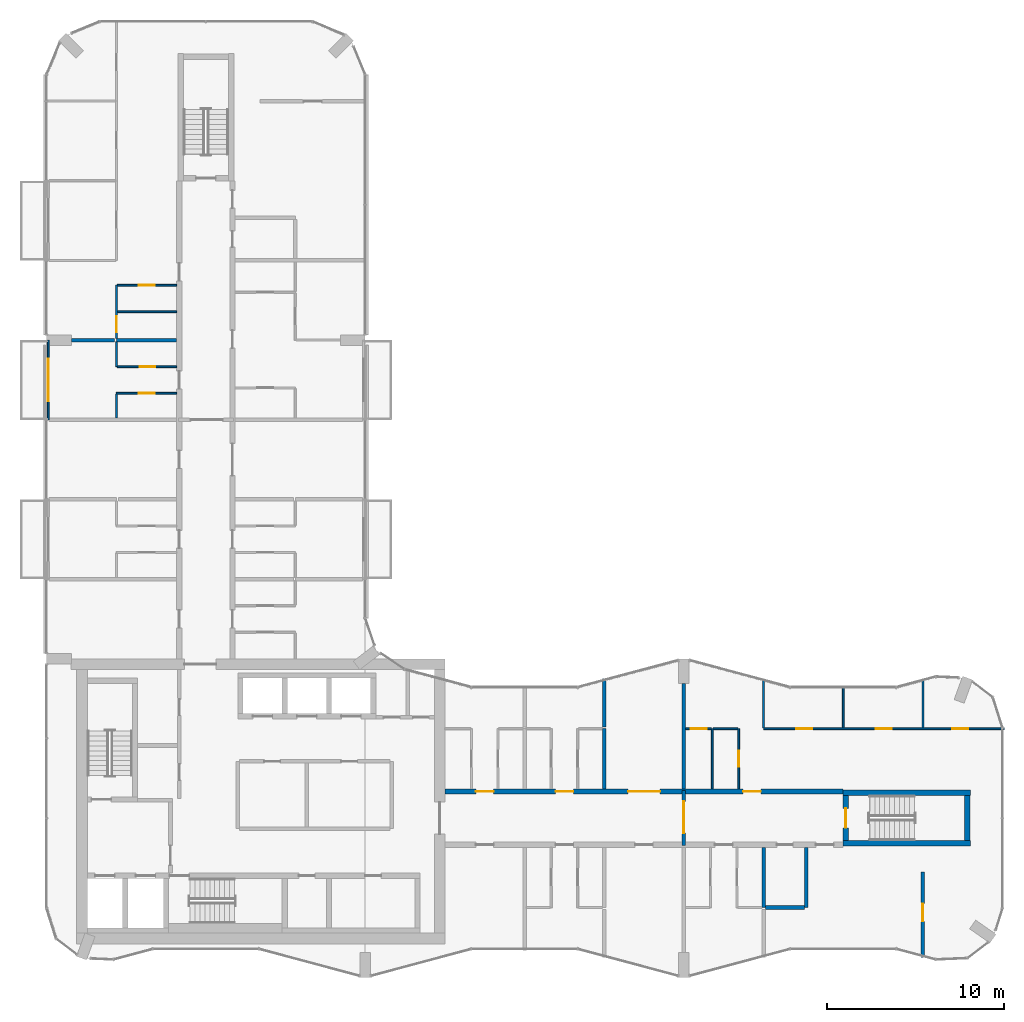
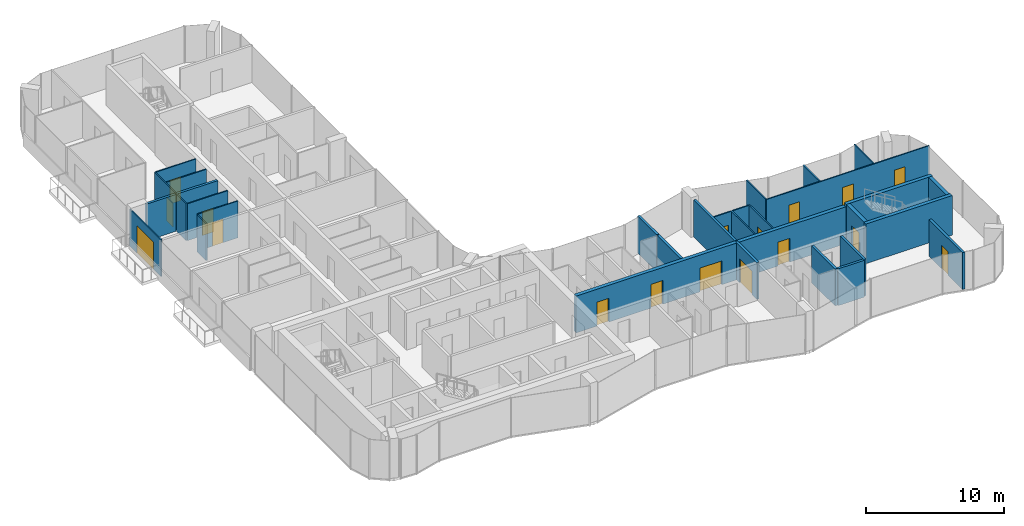
# One storey, part 12 of 16: 31 walls, 17 doors, 17 openings.
"""IFC4 building model written with IfcOpenShell, lengths in metres."""

from ifc_helpers import new_model, si_unit, direction, frame, frame_2d, origin, place, context, subcontext, project, spatial, rectangle, extrude, material, layer, layer_set, type_object, element, fill, save


model = new_model("IFC4")

# Units and contexts
model_context = context("Model", 3, precision=1e-05, world=origin(), true_north=direction((0.0, 1.0)))
body_context = subcontext(model_context, "Body", "Model", "MODEL_VIEW")
ifc_project = project(units=[si_unit("LENGTHUNIT", "METRE"), si_unit("AREAUNIT", "SQUARE_METRE"), si_unit("VOLUMEUNIT", "CUBIC_METRE"), si_unit("PLANEANGLEUNIT", "RADIAN"), si_unit("MASSUNIT", "GRAM", prefix="KILO")], contexts=[model_context])

# Site, building, storey
site_placement = place(None, origin())
site = spatial("IfcSite", under=ifc_project, at=site_placement, CompositionType="ELEMENT")
building_placement = place(site_placement, origin())
building = spatial("IfcBuilding", under=site, at=building_placement, Name="Plateau Cross Towers", CompositionType="ELEMENT")
storey_placement = place(building_placement, frame((0.0, 0.0, 163.89990234375)))
storey = spatial("IfcBuildingStorey", under=building, at=storey_placement, Name="L42", CompositionType="ELEMENT", Elevation=163.89990234375)

# Wall, opening, door
ifc_material_1 = material(Name="Aluminium framed glazing", Category="aluminium")
ifc_layer_1 = layer(ifc_material_1, 0.10009765625)
ifc_layer_set_1 = layer_set([ifc_layer_1], Name="Aluminium framed glazing")
wall_type_1 = type_object("IfcWallType", Name="Balcony screen wall 100", PredefinedType="STANDARD", material=ifc_layer_set_1)
wall_1_placement = place(storey_placement, frame((0.10009765625, 31.5, 0.0), z_axis=(0.0, 0.0, 1.0), x_axis=(0.0, 1.0, 0.0)))
wall_1 = element("IfcWall", 1, at=wall_1_placement, inside=storey, type_object=wall_type_1, Name="Balcony screen wall A-BAL-L42-02", PredefinedType="STANDARD", context=body_context, shape_type="SweptSolid", body=[
    extrude(rectangle(XDim=4.5, YDim=0.10009765625, at=frame_2d((2.25, 0.0))), origin(), (0.0, 0.0, 1.0), 3.25),
])
opening_1_placement = place(wall_1_placement, frame((1.050048828125, 0.0, 0.0)))
opening_1 = element("IfcOpeningElement", 2, at=opening_1_placement, cuts=wall_1, Name="Opening D-B24", PredefinedType="OPENING", context=body_context, shape_type="SweptSolid", body=[
    extrude(rectangle(XDim=2.39990234375, YDim=2.39990234375, at=frame_2d((1.199951171875, 1.199951171875))), frame((0.0, 0.06005859375, 0.0), z_axis=(0.0, -1.0, 0.0), x_axis=(1.0, 0.0, 0.0)), (0.0, 0.0, 1.0), 0.1201171875),
])
ifc_material_2 = material(Name="Aluminium frame, double glazing", Category="aluminium")
door_type_1 = type_object("IfcDoorType", Name="Balcony sliding door 2400", OperationType="NOTDEFINED", PredefinedType="DOOR", material=ifc_material_2)
door_1_placement = place(opening_1_placement, origin())
door_1 = element("IfcDoor", 3, at=door_1_placement, inside=storey, type_object=door_type_1, Name="Balcony door A-BAL-L42-02", OperationType="SINGLE_SWING_LEFT", OverallHeight=2.39990234375, OverallWidth=2.39990234375, PredefinedType="DOOR", context=body_context, shape_type="SweptSolid", body=[
    extrude(rectangle(XDim=2.39990234375, YDim=2.39990234375, at=frame_2d((1.199951171875, 1.199951171875))), frame((0.0, 0.02490234375, 0.0), z_axis=(0.0, -1.0, 0.0), x_axis=(1.0, 0.0, 0.0)), (0.0, 0.0, 1.0), 0.050048828125),
])
fill(opening_1, door_1)

# Wall, openings, doors
ifc_material_3 = material(Name="Concrete C60/75", Category="concrete")
ifc_layer_2 = layer(ifc_material_3, 0.300048828125)
ifc_layer_set_2 = layer_set([ifc_layer_2], Name="Concrete C60/75")
wall_type_2 = type_object("IfcWallType", Name="Corridor wall 300", PredefinedType="SHEAR", material=ifc_layer_set_2)
wall_2_placement = place(storey_placement, frame((22.5, 10.5, 0.0), z_axis=(0.0, 0.0, 1.0), x_axis=(1.0, 0.0, 0.0)))
wall_2 = element("IfcWall", 4, at=wall_2_placement, inside=storey, type_object=wall_type_2, Name="A-cw-S2@L42", PredefinedType="SHEAR", context=body_context, shape_type="SweptSolid", body=[
    extrude(rectangle(XDim=22.5, YDim=0.300048828125, at=frame_2d((11.25, 0.0))), origin(), (0.0, 0.0, 1.0), 3.25),
])
opening_2_placement = place(wall_2_placement, frame((1.75, 0.0, 0.0)))
opening_2 = element("IfcOpeningElement", 5, at=opening_2_placement, cuts=wall_2, Name="Opening 42-07", PredefinedType="OPENING", context=body_context, shape_type="SweptSolid", body=[
    extrude(rectangle(XDim=1.0, YDim=2.10009765625, at=frame_2d((0.5, 1.050048828125))), frame((0.0, 0.159912109375, 0.0), z_axis=(0.0, -1.0, 0.0), x_axis=(1.0, 0.0, 0.0)), (0.0, 0.0, 1.0), 0.320068359375),
])
opening_3_placement = place(wall_2_placement, frame((6.25, 0.0, 0.0)))
opening_3 = element("IfcOpeningElement", 6, at=opening_3_placement, cuts=wall_2, Name="Opening 42-08", PredefinedType="OPENING", context=body_context, shape_type="SweptSolid", body=[
    extrude(rectangle(XDim=1.0, YDim=2.10009765625, at=frame_2d((0.5, 1.050048828125))), frame((0.0, 0.159912109375, 0.0), z_axis=(0.0, -1.0, 0.0), x_axis=(1.0, 0.0, 0.0)), (0.0, 0.0, 1.0), 0.320068359375),
])
opening_4_placement = place(wall_2_placement, frame((10.35009765625, 0.0, 0.0)))
opening_4 = element("IfcOpeningElement", 7, at=opening_4_placement, cuts=wall_2, Name="Opening 42-09", PredefinedType="OPENING", context=body_context, shape_type="SweptSolid", body=[
    extrude(rectangle(XDim=1.800048828125, YDim=2.10009765625, at=frame_2d((0.89990234375, 1.050048828125))), frame((0.0, 0.159912109375, 0.0), z_axis=(0.0, -1.0, 0.0), x_axis=(1.0, 0.0, 0.0)), (0.0, 0.0, 1.0), 0.320068359375),
])
opening_5_placement = place(wall_2_placement, frame((16.85009765625, 0.0, 0.0)))
opening_5 = element("IfcOpeningElement", 8, at=opening_5_placement, cuts=wall_2, Name="Opening 42-10", PredefinedType="OPENING", context=body_context, shape_type="SweptSolid", body=[
    extrude(rectangle(XDim=1.0, YDim=2.10009765625, at=frame_2d((0.5, 1.050048828125))), frame((0.0, 0.159912109375, 0.0), z_axis=(0.0, -1.0, 0.0), x_axis=(1.0, 0.0, 0.0)), (0.0, 0.0, 1.0), 0.320068359375),
])
ifc_material_4 = material(Name="Timber, fire-resisting leaf", Category="wood")
door_type_2 = type_object("IfcDoorType", Name="Flat entrance door 1000", OperationType="NOTDEFINED", PredefinedType="DOOR", material=ifc_material_4)
door_2_placement = place(opening_2_placement, origin())
door_2 = element("IfcDoor", 9, at=door_2_placement, inside=storey, type_object=door_type_2, Name="Door 42-07", OperationType="SINGLE_SWING_LEFT", OverallHeight=2.10009765625, OverallWidth=1.0, PredefinedType="DOOR", context=body_context, shape_type="SweptSolid", body=[
    extrude(rectangle(XDim=1.0, YDim=2.10009765625, at=frame_2d((0.5, 1.050048828125))), frame((0.0, 0.02490234375, 0.0), z_axis=(0.0, -1.0, 0.0), x_axis=(1.0, 0.0, 0.0)), (0.0, 0.0, 1.0), 0.050048828125),
])
fill(opening_2, door_2)
door_3_placement = place(opening_3_placement, origin())
door_3 = element("IfcDoor", 10, at=door_3_placement, inside=storey, type_object=door_type_2, Name="Door 42-08", OperationType="SINGLE_SWING_LEFT", OverallHeight=2.10009765625, OverallWidth=1.0, PredefinedType="DOOR", context=body_context, shape_type="SweptSolid", body=[
    extrude(rectangle(XDim=1.0, YDim=2.10009765625, at=frame_2d((0.5, 1.050048828125))), frame((0.0, 0.02490234375, 0.0), z_axis=(0.0, -1.0, 0.0), x_axis=(1.0, 0.0, 0.0)), (0.0, 0.0, 1.0), 0.050048828125),
])
fill(opening_3, door_3)
door_4_placement = place(opening_5_placement, origin())
door_4 = element("IfcDoor", 11, at=door_4_placement, inside=storey, type_object=door_type_2, Name="Door 42-10", OperationType="SINGLE_SWING_RIGHT", OverallHeight=2.10009765625, OverallWidth=1.0, PredefinedType="DOOR", context=body_context, shape_type="SweptSolid", body=[
    extrude(rectangle(XDim=1.0, YDim=2.10009765625, at=frame_2d((0.5, 1.050048828125))), frame((0.0, 0.02490234375, 0.0), z_axis=(0.0, -1.0, 0.0), x_axis=(1.0, 0.0, 0.0)), (0.0, 0.0, 1.0), 0.050048828125),
])
fill(opening_5, door_4)
ifc_material_5 = material(Name="Timber, fire-resisting leaves", Category="wood")
door_type_3 = type_object("IfcDoorType", Name="Flat floor fire door pair 1800", OperationType="NOTDEFINED", PredefinedType="DOOR", material=ifc_material_5)
door_5_placement = place(opening_4_placement, origin())
door_5 = element("IfcDoor", 12, at=door_5_placement, inside=storey, type_object=door_type_3, Name="Door 42-09", OperationType="SINGLE_SWING_LEFT", OverallHeight=2.10009765625, OverallWidth=1.800048828125, PredefinedType="DOOR", context=body_context, shape_type="SweptSolid", body=[
    extrude(rectangle(XDim=1.800048828125, YDim=2.10009765625, at=frame_2d((0.89990234375, 1.050048828125))), frame((0.0, 0.02490234375, 0.0), z_axis=(0.0, -1.0, 0.0), x_axis=(1.0, 0.0, 0.0)), (0.0, 0.0, 1.0), 0.050048828125),
])
fill(opening_4, door_5)

# Wall, opening, door
ifc_material_6 = material(Name="Gypsum board on steel studs", Category="steel")
ifc_layer_3 = layer(ifc_material_6, 0.10009765625)
ifc_layer_set_3 = layer_set([ifc_layer_3], Name="Gypsum board on steel studs")
wall_type_3 = type_object("IfcWallType", Name="Flat partition 100", PredefinedType="PARTITIONING", material=ifc_layer_set_3)
wall_3_placement = place(storey_placement, frame((37.550048828125, 14.050048828125, 0.0), z_axis=(0.0, 0.0, 1.0), x_axis=(-1.0, 0.0, 0.0)))
wall_3 = element("IfcWall", 13, at=wall_3_placement, inside=storey, type_object=wall_type_3, Name="Partition wall", PredefinedType="PARTITIONING", context=body_context, shape_type="SweptSolid", body=[
    extrude(rectangle(XDim=1.449951171875, YDim=0.10009765625, at=frame_2d((0.72509765625, 0.0))), origin(), (0.0, 0.0, 1.0), 3.25),
])
opening_6_placement = place(wall_3_placement, frame((0.25, 0.0, 0.0)))
opening_6 = element("IfcOpeningElement", 14, at=opening_6_placement, cuts=wall_3, Name="Opening 42-34", PredefinedType="OPENING", context=body_context, shape_type="SweptSolid", body=[
    extrude(rectangle(XDim=0.89990234375, YDim=2.10009765625, at=frame_2d((0.449951171875, 1.050048828125))), frame((0.0, 0.06005859375, 0.0), z_axis=(0.0, -1.0, 0.0), x_axis=(1.0, 0.0, 0.0)), (0.0, 0.0, 1.0), 0.1201171875),
])
ifc_material_7 = material(Name="Timber leaf", Category="wood")
door_type_4 = type_object("IfcDoorType", Name="Flat room door 900", OperationType="NOTDEFINED", PredefinedType="DOOR", material=ifc_material_7)
door_6_placement = place(opening_6_placement, origin())
door_6 = element("IfcDoor", 15, at=door_6_placement, inside=storey, type_object=door_type_4, Name="Door 42-34", OperationType="SINGLE_SWING_LEFT", OverallHeight=2.10009765625, OverallWidth=0.89990234375, PredefinedType="DOOR", context=body_context, shape_type="SweptSolid", body=[
    extrude(rectangle(XDim=0.89990234375, YDim=2.10009765625, at=frame_2d((0.449951171875, 1.050048828125))), frame((0.0, 0.02490234375, 0.0), z_axis=(0.0, -1.0, 0.0), x_axis=(1.0, 0.0, 0.0)), (0.0, 0.0, 1.0), 0.050048828125),
])
fill(opening_6, door_6)

# Wall
wall_4_placement = place(storey_placement, frame((39.050048828125, 14.050048828125, 0.0), z_axis=(0.0, 0.0, 1.0), x_axis=(-1.0, 0.0, 0.0)))
element("IfcWall", 16, at=wall_4_placement, inside=storey, type_object=wall_type_3, Name="Partition wall", PredefinedType="PARTITIONING", context=body_context, shape_type="SweptSolid", body=[
    extrude(rectangle(XDim=1.400146484375, YDim=0.10009765625, at=frame_2d((0.7001953125, 0.0))), origin(), (0.0, 0.0, 1.0), 3.25),
])

# Wall, openings, doors
wall_5_placement = place(storey_placement, frame((40.5, 14.050048828125, 0.0), z_axis=(0.0, 0.0, 1.0), x_axis=(1.0, 0.0, 0.0)))
wall_5 = element("IfcWall", 17, at=wall_5_placement, inside=storey, type_object=wall_type_3, Name="Partition wall", PredefinedType="PARTITIONING", context=body_context, shape_type="SweptSolid", body=[
    extrude(rectangle(XDim=13.580078125, YDim=0.10009765625, at=frame_2d((6.7900390625, 0.0))), origin(), (0.0, 0.0, 1.0), 3.25),
])
opening_7_placement = place(wall_5_placement, frame((1.85009765625, 0.0, 0.0)))
opening_7 = element("IfcOpeningElement", 18, at=opening_7_placement, cuts=wall_5, Name="Opening 42-36", PredefinedType="OPENING", context=body_context, shape_type="SweptSolid", body=[
    extrude(rectangle(XDim=0.89990234375, YDim=2.10009765625, at=frame_2d((0.449951171875, 1.050048828125))), frame((0.0, 0.06005859375, 0.0), z_axis=(0.0, -1.0, 0.0), x_axis=(1.0, 0.0, 0.0)), (0.0, 0.0, 1.0), 0.1201171875),
])
opening_8_placement = place(wall_5_placement, frame((6.35009765625, 0.0, 0.0)))
opening_8 = element("IfcOpeningElement", 19, at=opening_8_placement, cuts=wall_5, Name="Opening 42-37", PredefinedType="OPENING", context=body_context, shape_type="SweptSolid", body=[
    extrude(rectangle(XDim=0.89990234375, YDim=2.10009765625, at=frame_2d((0.449951171875, 1.050048828125))), frame((0.0, 0.06005859375, 0.0), z_axis=(0.0, -1.0, 0.0), x_axis=(1.0, 0.0, 0.0)), (0.0, 0.0, 1.0), 0.1201171875),
])
opening_9_placement = place(wall_5_placement, frame((10.64990234375, 0.0, 0.0)))
opening_9 = element("IfcOpeningElement", 20, at=opening_9_placement, cuts=wall_5, Name="Opening 42-38", PredefinedType="OPENING", context=body_context, shape_type="SweptSolid", body=[
    extrude(rectangle(XDim=0.89990234375, YDim=2.10009765625, at=frame_2d((0.449951171875, 1.050048828125))), frame((0.0, 0.06005859375, 0.0), z_axis=(0.0, -1.0, 0.0), x_axis=(1.0, 0.0, 0.0)), (0.0, 0.0, 1.0), 0.1201171875),
])
door_7_placement = place(opening_7_placement, origin())
door_7 = element("IfcDoor", 21, at=door_7_placement, inside=storey, type_object=door_type_4, Name="Door 42-36", OperationType="SINGLE_SWING_LEFT", OverallHeight=2.10009765625, OverallWidth=0.89990234375, PredefinedType="DOOR", context=body_context, shape_type="SweptSolid", body=[
    extrude(rectangle(XDim=0.89990234375, YDim=2.10009765625, at=frame_2d((0.449951171875, 1.050048828125))), frame((0.0, 0.02490234375, 0.0), z_axis=(0.0, -1.0, 0.0), x_axis=(1.0, 0.0, 0.0)), (0.0, 0.0, 1.0), 0.050048828125),
])
fill(opening_7, door_7)
door_8_placement = place(opening_8_placement, origin())
door_8 = element("IfcDoor", 22, at=door_8_placement, inside=storey, type_object=door_type_4, Name="Door 42-37", OperationType="SINGLE_SWING_RIGHT", OverallHeight=2.10009765625, OverallWidth=0.89990234375, PredefinedType="DOOR", context=body_context, shape_type="SweptSolid", body=[
    extrude(rectangle(XDim=0.89990234375, YDim=2.10009765625, at=frame_2d((0.449951171875, 1.050048828125))), frame((0.0, 0.02490234375, 0.0), z_axis=(0.0, -1.0, 0.0), x_axis=(1.0, 0.0, 0.0)), (0.0, 0.0, 1.0), 0.050048828125),
])
fill(opening_8, door_8)
door_9_placement = place(opening_9_placement, origin())
door_9 = element("IfcDoor", 23, at=door_9_placement, inside=storey, type_object=door_type_4, Name="Door 42-38", OperationType="SINGLE_SWING_RIGHT", OverallHeight=2.10009765625, OverallWidth=0.89990234375, PredefinedType="DOOR", context=body_context, shape_type="SweptSolid", body=[
    extrude(rectangle(XDim=0.89990234375, YDim=2.10009765625, at=frame_2d((0.449951171875, 1.050048828125))), frame((0.0, 0.02490234375, 0.0), z_axis=(0.0, -1.0, 0.0), x_axis=(1.0, 0.0, 0.0)), (0.0, 0.0, 1.0), 0.050048828125),
])
fill(opening_9, door_9)

# Wall, opening, door
wall_6_placement = place(storey_placement, frame((7.35009765625, 33.0, 0.0), z_axis=(0.0, 0.0, 1.0), x_axis=(-1.0, 0.0, 0.0)))
wall_6 = element("IfcWall", 24, at=wall_6_placement, inside=storey, type_object=wall_type_3, Name="Partition wall", PredefinedType="PARTITIONING", context=body_context, shape_type="SweptSolid", body=[
    extrude(rectangle(XDim=3.400146484375, YDim=0.10009765625, at=frame_2d((1.7001953125, 0.0))), origin(), (0.0, 0.0, 1.0), 3.25),
])
opening_10_placement = place(wall_6_placement, frame((1.25, 0.0, 0.0)))
opening_10 = element("IfcOpeningElement", 25, at=opening_10_placement, cuts=wall_6, Name="Opening 42-41", PredefinedType="OPENING", context=body_context, shape_type="SweptSolid", body=[
    extrude(rectangle(XDim=0.89990234375, YDim=2.10009765625, at=frame_2d((0.449951171875, 1.050048828125))), frame((0.0, 0.06005859375, 0.0), z_axis=(0.0, -1.0, 0.0), x_axis=(1.0, 0.0, 0.0)), (0.0, 0.0, 1.0), 0.1201171875),
])
door_10_placement = place(opening_10_placement, origin())
door_10 = element("IfcDoor", 26, at=door_10_placement, inside=storey, type_object=door_type_4, Name="Door 42-41", OperationType="SINGLE_SWING_RIGHT", OverallHeight=2.10009765625, OverallWidth=0.89990234375, PredefinedType="DOOR", context=body_context, shape_type="SweptSolid", body=[
    extrude(rectangle(XDim=0.89990234375, YDim=2.10009765625, at=frame_2d((0.449951171875, 1.050048828125))), frame((0.0, 0.02490234375, 0.0), z_axis=(0.0, -1.0, 0.0), x_axis=(1.0, 0.0, 0.0)), (0.0, 0.0, 1.0), 0.050048828125),
])
fill(opening_10, door_10)

wall_7_placement = place(storey_placement, frame((4.0, 34.5, 0.0), z_axis=(0.0, 0.0, 1.0), x_axis=(1.0, 0.0, 0.0)))
wall_7 = element("IfcWall", 27, at=wall_7_placement, inside=storey, type_object=wall_type_3, Name="Partition wall", PredefinedType="PARTITIONING", context=body_context, shape_type="SweptSolid", body=[
    extrude(rectangle(XDim=3.35009765625, YDim=0.10009765625, at=frame_2d((1.675048828125, 0.0))), origin(), (0.0, 0.0, 1.0), 3.25),
])
opening_11_placement = place(wall_7_placement, frame((1.25, 0.0, 0.0)))
opening_11 = element("IfcOpeningElement", 28, at=opening_11_placement, cuts=wall_7, Name="Opening 42-42", PredefinedType="OPENING", context=body_context, shape_type="SweptSolid", body=[
    extrude(rectangle(XDim=0.89990234375, YDim=2.10009765625, at=frame_2d((0.449951171875, 1.050048828125))), frame((0.0, 0.06005859375, 0.0), z_axis=(0.0, -1.0, 0.0), x_axis=(1.0, 0.0, 0.0)), (0.0, 0.0, 1.0), 0.1201171875),
])
door_11_placement = place(opening_11_placement, origin())
door_11 = element("IfcDoor", 29, at=door_11_placement, inside=storey, type_object=door_type_4, Name="Door 42-42", OperationType="SINGLE_SWING_RIGHT", OverallHeight=2.10009765625, OverallWidth=0.89990234375, PredefinedType="DOOR", context=body_context, shape_type="SweptSolid", body=[
    extrude(rectangle(XDim=0.89990234375, YDim=2.10009765625, at=frame_2d((0.449951171875, 1.050048828125))), frame((0.0, 0.02490234375, 0.0), z_axis=(0.0, -1.0, 0.0), x_axis=(1.0, 0.0, 0.0)), (0.0, 0.0, 1.0), 0.050048828125),
])
fill(opening_11, door_11)

# Wall
wall_8_placement = place(storey_placement, frame((7.35009765625, 37.60009765625, 0.0), z_axis=(0.0, 0.0, 1.0), x_axis=(-1.0, 0.0, 0.0)))
element("IfcWall", 30, at=wall_8_placement, inside=storey, type_object=wall_type_3, Name="Partition wall", PredefinedType="PARTITIONING", context=body_context, shape_type="SweptSolid", body=[
    extrude(rectangle(XDim=3.35009765625, YDim=0.10009765625, at=frame_2d((1.675048828125, 0.0))), origin(), (0.0, 0.0, 1.0), 3.25),
])

# Wall, opening, door
wall_9_placement = place(storey_placement, frame((7.35009765625, 39.10009765625, 0.0), z_axis=(0.0, 0.0, 1.0), x_axis=(-1.0, 0.0, 0.0)))
wall_9 = element("IfcWall", 31, at=wall_9_placement, inside=storey, type_object=wall_type_3, Name="Partition wall", PredefinedType="PARTITIONING", context=body_context, shape_type="SweptSolid", body=[
    extrude(rectangle(XDim=3.35009765625, YDim=0.10009765625, at=frame_2d((1.675048828125, 0.0))), origin(), (0.0, 0.0, 1.0), 3.25),
])
opening_12_placement = place(wall_9_placement, frame((1.25, 0.0, 0.0)))
opening_12 = element("IfcOpeningElement", 32, at=opening_12_placement, cuts=wall_9, Name="Opening 42-44", PredefinedType="OPENING", context=body_context, shape_type="SweptSolid", body=[
    extrude(rectangle(XDim=0.89990234375, YDim=2.10009765625, at=frame_2d((0.449951171875, 1.050048828125))), frame((0.0, 0.06005859375, 0.0), z_axis=(0.0, -1.0, 0.0), x_axis=(1.0, 0.0, 0.0)), (0.0, 0.0, 1.0), 0.1201171875),
])
door_12_placement = place(opening_12_placement, origin())
door_12 = element("IfcDoor", 33, at=door_12_placement, inside=storey, type_object=door_type_4, Name="Door 42-44", OperationType="SINGLE_SWING_RIGHT", OverallHeight=2.10009765625, OverallWidth=0.89990234375, PredefinedType="DOOR", context=body_context, shape_type="SweptSolid", body=[
    extrude(rectangle(XDim=0.89990234375, YDim=2.10009765625, at=frame_2d((0.449951171875, 1.050048828125))), frame((0.0, 0.02490234375, 0.0), z_axis=(0.0, -1.0, 0.0), x_axis=(1.0, 0.0, 0.0)), (0.0, 0.0, 1.0), 0.050048828125),
])
fill(opening_12, door_12)

# Walls
wall_10_placement = place(storey_placement, frame((3.949951171875, 32.949951171875, 0.0), z_axis=(0.0, 0.0, 1.0), x_axis=(0.0, -1.0, 0.0)))
element("IfcWall", 34, at=wall_10_placement, inside=storey, type_object=wall_type_3, Name="Partition wall", PredefinedType="PARTITIONING", context=body_context, shape_type="SweptSolid", body=[
    extrude(rectangle(XDim=1.349853515625, YDim=0.10009765625, at=frame_2d((0.6748046875, 0.0))), origin(), (0.0, 0.0, 1.0), 3.25),
])
wall_11_placement = place(storey_placement, frame((3.949951171875, 35.89990234375, 0.0), z_axis=(0.0, 0.0, 1.0), x_axis=(0.0, -1.0, 0.0)))
element("IfcWall", 35, at=wall_11_placement, inside=storey, type_object=wall_type_3, Name="Partition wall", PredefinedType="PARTITIONING", context=body_context, shape_type="SweptSolid", body=[
    extrude(rectangle(XDim=1.39990234375, YDim=0.10009765625, at=frame_2d((0.699951171875, 0.0))), origin(), (0.0, 0.0, 1.0), 3.25),
])

# Wall, opening, door
wall_12_placement = place(storey_placement, frame((3.949951171875, 39.10009765625, 0.0), z_axis=(0.0, 0.0, 1.0), x_axis=(0.0, -1.0, 0.0)))
wall_12 = element("IfcWall", 36, at=wall_12_placement, inside=storey, type_object=wall_type_3, Name="Partition wall", PredefinedType="PARTITIONING", context=body_context, shape_type="SweptSolid", body=[
    extrude(rectangle(XDim=3.0, YDim=0.10009765625, at=frame_2d((1.5, 0.0))), origin(), (0.0, 0.0, 1.0), 3.25),
])
opening_13_placement = place(wall_12_placement, frame((1.75, 0.0, 0.0)))
opening_13 = element("IfcOpeningElement", 37, at=opening_13_placement, cuts=wall_12, Name="Opening 42-43", PredefinedType="OPENING", context=body_context, shape_type="SweptSolid", body=[
    extrude(rectangle(XDim=0.89990234375, YDim=2.10009765625, at=frame_2d((0.449951171875, 1.050048828125))), frame((0.0, 0.06005859375, 0.0), z_axis=(0.0, -1.0, 0.0), x_axis=(1.0, 0.0, 0.0)), (0.0, 0.0, 1.0), 0.1201171875),
])
door_13_placement = place(opening_13_placement, origin())
door_13 = element("IfcDoor", 38, at=door_13_placement, inside=storey, type_object=door_type_4, Name="Door 42-43", OperationType="SINGLE_SWING_RIGHT", OverallHeight=2.10009765625, OverallWidth=0.89990234375, PredefinedType="DOOR", context=body_context, shape_type="SweptSolid", body=[
    extrude(rectangle(XDim=0.89990234375, YDim=2.10009765625, at=frame_2d((0.449951171875, 1.050048828125))), frame((0.0, 0.02490234375, 0.0), z_axis=(0.0, -1.0, 0.0), x_axis=(1.0, 0.0, 0.0)), (0.0, 0.0, 1.0), 0.050048828125),
])
fill(opening_13, door_13)

# Wall
wall_13_placement = place(storey_placement, frame((37.60009765625, 10.64990234375, 0.0), z_axis=(0.0, 0.0, 1.0), x_axis=(0.0, 1.0, 0.0)))
element("IfcWall", 39, at=wall_13_placement, inside=storey, type_object=wall_type_3, Name="Partition wall", PredefinedType="PARTITIONING", context=body_context, shape_type="SweptSolid", body=[
    extrude(rectangle(XDim=3.400146484375, YDim=0.10009765625, at=frame_2d((1.7001953125, 0.0))), origin(), (0.0, 0.0, 1.0), 3.25),
])

# Wall, opening, door
wall_14_placement = place(storey_placement, frame((39.10009765625, 10.64990234375, 0.0), z_axis=(0.0, 0.0, 1.0), x_axis=(0.0, 1.0, 0.0)))
wall_14 = element("IfcWall", 40, at=wall_14_placement, inside=storey, type_object=wall_type_3, Name="Partition wall", PredefinedType="PARTITIONING", context=body_context, shape_type="SweptSolid", body=[
    extrude(rectangle(XDim=3.400146484375, YDim=0.10009765625, at=frame_2d((1.7001953125, 0.0))), origin(), (0.0, 0.0, 1.0), 3.25),
])
opening_14_placement = place(wall_14_placement, frame((1.25, 0.0, 0.0)))
opening_14 = element("IfcOpeningElement", 41, at=opening_14_placement, cuts=wall_14, Name="Opening 42-35", PredefinedType="OPENING", context=body_context, shape_type="SweptSolid", body=[
    extrude(rectangle(XDim=0.89990234375, YDim=2.10009765625, at=frame_2d((0.449951171875, 1.050048828125))), frame((0.0, 0.06005859375, 0.0), z_axis=(0.0, -1.0, 0.0), x_axis=(1.0, 0.0, 0.0)), (0.0, 0.0, 1.0), 0.1201171875),
])
door_14_placement = place(opening_14_placement, origin())
door_14 = element("IfcDoor", 42, at=door_14_placement, inside=storey, type_object=door_type_4, Name="Door 42-35", OperationType="SINGLE_SWING_LEFT", OverallHeight=2.10009765625, OverallWidth=0.89990234375, PredefinedType="DOOR", context=body_context, shape_type="SweptSolid", body=[
    extrude(rectangle(XDim=0.89990234375, YDim=2.10009765625, at=frame_2d((0.449951171875, 1.050048828125))), frame((0.0, 0.02490234375, 0.0), z_axis=(0.0, -1.0, 0.0), x_axis=(1.0, 0.0, 0.0)), (0.0, 0.0, 1.0), 0.050048828125),
])
fill(opening_14, door_14)

# Walls
wall_15_placement = place(storey_placement, frame((40.5, 16.877685546875, 0.0), z_axis=(0.0, 0.0, 1.0), x_axis=(0.0, -1.0, 0.0)))
element("IfcWall", 43, at=wall_15_placement, inside=storey, type_object=wall_type_3, Name="Partition wall", PredefinedType="PARTITIONING", context=body_context, shape_type="SweptSolid", body=[
    extrude(rectangle(XDim=2.777587890625, YDim=0.10009765625, at=frame_2d((1.388671875, 0.0))), origin(), (0.0, 0.0, 1.0), 3.25),
])
wall_16_placement = place(storey_placement, frame((45.0, 14.10009765625, 0.0), z_axis=(0.0, 0.0, 1.0), x_axis=(0.0, 1.0, 0.0)))
element("IfcWall", 44, at=wall_16_placement, inside=storey, type_object=wall_type_3, Name="Partition wall", PredefinedType="PARTITIONING", context=body_context, shape_type="SweptSolid", body=[
    extrude(rectangle(XDim=2.373046875, YDim=0.10009765625, at=frame_2d((1.1865234375, 0.0))), origin(), (0.0, 0.0, 1.0), 3.25),
])
wall_17_placement = place(storey_placement, frame((49.5, 14.10009765625, 0.0), z_axis=(0.0, 0.0, 1.0), x_axis=(0.0, 1.0, 0.0)))
element("IfcWall", 45, at=wall_17_placement, inside=storey, type_object=wall_type_3, Name="Partition wall", PredefinedType="PARTITIONING", context=body_context, shape_type="SweptSolid", body=[
    extrude(rectangle(XDim=2.777587890625, YDim=0.10009765625, at=frame_2d((1.388671875, 0.0))), origin(), (0.0, 0.0, 1.0), 3.25),
])
ifc_material_8 = material(Name="Gypsum board on steel studs, two layers each side", Category="steel")
ifc_layer_4 = layer(ifc_material_8, 0.199951171875)
ifc_layer_set_4 = layer_set([ifc_layer_4], Name="Gypsum board on steel studs, two layers each side")
wall_type_4 = type_object("IfcWallType", Name="Flat party wall 200", PredefinedType="PARTITIONING", material=ifc_layer_set_4)
wall_18_placement = place(storey_placement, frame((40.60009765625, 3.949951171875, 0.0), z_axis=(0.0, 0.0, 1.0), x_axis=(1.0, 0.0, 0.0)))
element("IfcWall", 46, at=wall_18_placement, inside=storey, type_object=wall_type_4, Name="Party wall", PredefinedType="PARTITIONING", context=body_context, shape_type="SweptSolid", body=[
    extrude(rectangle(XDim=2.199951171875, YDim=0.199951171875, at=frame_2d((1.10009765625, 0.0))), origin(), (0.0, 0.0, 1.0), 3.25),
])
wall_19_placement = place(storey_placement, frame((7.35009765625, 36.0, 0.0), z_axis=(0.0, 0.0, 1.0), x_axis=(-1.0, 0.0, 0.0)))
element("IfcWall", 47, at=wall_19_placement, inside=storey, type_object=wall_type_4, Name="Party wall", PredefinedType="PARTITIONING", context=body_context, shape_type="SweptSolid", body=[
    extrude(rectangle(XDim=3.400146484375, YDim=0.199951171875, at=frame_2d((1.7001953125, 0.0))), origin(), (0.0, 0.0, 1.0), 3.25),
])
wall_20_placement = place(storey_placement, frame((1.39990234375, 36.0, 0.0), z_axis=(0.0, 0.0, 1.0), x_axis=(1.0, 0.0, 0.0)))
element("IfcWall", 48, at=wall_20_placement, inside=storey, type_object=wall_type_4, Name="Party wall", PredefinedType="PARTITIONING", context=body_context, shape_type="SweptSolid", body=[
    extrude(rectangle(XDim=2.4501953125, YDim=0.199951171875, at=frame_2d((1.22509765625, 0.0))), origin(), (0.0, 0.0, 1.0), 3.25),
])
wall_21_placement = place(storey_placement, frame((31.5, 16.877685546875, 0.0), z_axis=(0.0, 0.0, 1.0), x_axis=(0.0, -1.0, 0.0)))
element("IfcWall", 49, at=wall_21_placement, inside=storey, type_object=wall_type_4, Name="Party wall", PredefinedType="PARTITIONING", context=body_context, shape_type="SweptSolid", body=[
    extrude(rectangle(XDim=2.727783203125, YDim=0.199951171875, at=frame_2d((1.36376953125, 0.0))), origin(), (0.0, 0.0, 1.0), 3.25),
])
wall_22_placement = place(storey_placement, frame((31.5, 10.64990234375, 0.0), z_axis=(0.0, 0.0, 1.0), x_axis=(0.0, 1.0, 0.0)))
element("IfcWall", 50, at=wall_22_placement, inside=storey, type_object=wall_type_4, Name="Party wall", PredefinedType="PARTITIONING", context=body_context, shape_type="SweptSolid", body=[
    extrude(rectangle(XDim=3.400146484375, YDim=0.199951171875, at=frame_2d((1.7001953125, 0.0))), origin(), (0.0, 0.0, 1.0), 3.25),
])
wall_23_placement = place(storey_placement, frame((36.0, 10.64990234375, 0.0), z_axis=(0.0, 0.0, 1.0), x_axis=(0.0, 1.0, 0.0)))
element("IfcWall", 51, at=wall_23_placement, inside=storey, type_object=wall_type_4, Name="Party wall", PredefinedType="PARTITIONING", context=body_context, shape_type="SweptSolid", body=[
    extrude(rectangle(XDim=5.9501953125, YDim=0.199951171875, at=frame_2d((2.97509765625, 0.0))), origin(), (0.0, 0.0, 1.0), 3.25),
])
for number, where, z_axis, x_axis, name in (
    (52, (40.5, 3.949951171875, 0.0), (0.0, 0.0, 1.0), (0.0, 1.0, 0.0), "Party wall"),
    (53, (42.89990234375, 3.949951171875, 0.0), (0.0, 0.0, 1.0), (0.0, 1.0, 0.0), "Party wall"),
):
    element("IfcWall", number, at=place(storey_placement, frame(where, z_axis=z_axis, x_axis=x_axis)), inside=storey, type_object=wall_type_4, Name=name, PredefinedType="PARTITIONING", context=body_context, shape_type="SweptSolid", body=[
        extrude(rectangle(XDim=3.400146484375, YDim=0.199951171875, at=frame_2d((1.7001953125, 0.0))), origin(), (0.0, 0.0, 1.0), 3.25),
    ])

# Wall, opening, door
wall_24_placement = place(storey_placement, frame((49.5, 1.122314453125, 0.0), z_axis=(0.0, 0.0, 1.0), x_axis=(0.0, 1.0, 0.0)))
wall_24 = element("IfcWall", 54, at=wall_24_placement, inside=storey, type_object=wall_type_4, Name="Party wall", PredefinedType="PARTITIONING", context=body_context, shape_type="SweptSolid", body=[
    extrude(rectangle(XDim=4.82763671875, YDim=0.199951171875, at=frame_2d((2.413818359375, 0.0))), origin(), (0.0, 0.0, 1.0), 3.25),
])
opening_15_placement = place(wall_24_placement, frame((2.050048828125, 0.0, 0.0)))
opening_15 = element("IfcOpeningElement", 55, at=opening_15_placement, cuts=wall_24, Name="Opening 42-24", PredefinedType="OPENING", context=body_context, shape_type="SweptSolid", body=[
    extrude(rectangle(XDim=1.0, YDim=2.10009765625, at=frame_2d((0.5, 1.050048828125))), frame((0.0, 0.10986328125, 0.0), z_axis=(0.0, -1.0, 0.0), x_axis=(1.0, 0.0, 0.0)), (0.0, 0.0, 1.0), 0.219970703125),
])
door_15_placement = place(opening_15_placement, origin())
door_15 = element("IfcDoor", 56, at=door_15_placement, inside=storey, type_object=door_type_2, Name="Door 42-24", OperationType="SINGLE_SWING_RIGHT", OverallHeight=2.10009765625, OverallWidth=1.0, PredefinedType="DOOR", context=body_context, shape_type="SweptSolid", body=[
    extrude(rectangle(XDim=1.0, YDim=2.10009765625, at=frame_2d((0.5, 1.050048828125))), frame((0.0, 0.02490234375, 0.0), z_axis=(0.0, -1.0, 0.0), x_axis=(1.0, 0.0, 0.0)), (0.0, 0.0, 1.0), 0.050048828125),
])
fill(opening_15, door_15)

wall_25_placement = place(storey_placement, frame((36.0, 7.449951171875, 0.0), z_axis=(0.0, 0.0, 1.0), x_axis=(0.0, 1.0, 0.0)))
wall_25 = element("IfcWall", 57, at=wall_25_placement, inside=storey, type_object=wall_type_4, Name="Party wall", PredefinedType="PARTITIONING", context=body_context, shape_type="SweptSolid", body=[
    extrude(rectangle(XDim=3.10009765625, YDim=0.199951171875, at=frame_2d((1.550048828125, 0.0))), origin(), (0.0, 0.0, 1.0), 3.25),
])
opening_16_placement = place(wall_25_placement, frame((0.699951171875, 0.0, 0.0)))
opening_16 = element("IfcOpeningElement", 58, at=opening_16_placement, cuts=wall_25, Name="Opening 42-22", PredefinedType="OPENING", context=body_context, shape_type="SweptSolid", body=[
    extrude(rectangle(XDim=1.800048828125, YDim=2.10009765625, at=frame_2d((0.89990234375, 1.050048828125))), frame((0.0, 0.10986328125, 0.0), z_axis=(0.0, -1.0, 0.0), x_axis=(1.0, 0.0, 0.0)), (0.0, 0.0, 1.0), 0.219970703125),
])
door_16_placement = place(opening_16_placement, origin())
door_16 = element("IfcDoor", 59, at=door_16_placement, inside=storey, type_object=door_type_3, Name="Door 42-22", OperationType="SINGLE_SWING_RIGHT", OverallHeight=2.10009765625, OverallWidth=1.800048828125, PredefinedType="DOOR", context=body_context, shape_type="SweptSolid", body=[
    extrude(rectangle(XDim=1.800048828125, YDim=2.10009765625, at=frame_2d((0.89990234375, 1.050048828125))), frame((0.0, 0.02490234375, 0.0), z_axis=(0.0, -1.0, 0.0), x_axis=(1.0, 0.0, 0.0)), (0.0, 0.0, 1.0), 0.050048828125),
])
fill(opening_16, door_16)

ifc_layer_5 = layer(ifc_material_3, 0.300048828125)
ifc_layer_set_5 = layer_set([ifc_layer_5], Name="Concrete C60/75")
wall_type_5 = type_object("IfcWallType", Name="Stair tower wall 300", PredefinedType="SHEAR", material=ifc_layer_set_5)
wall_26_placement = place(storey_placement, frame((45.14990234375, 7.72509765625, 0.0), z_axis=(0.0, 0.0, 1.0), x_axis=(0.0, 1.0, 0.0)))
wall_26 = element("IfcWall", 60, at=wall_26_placement, inside=storey, type_object=wall_type_5, Name="A-end-E-W@L42", PredefinedType="SHEAR", context=body_context, shape_type="SweptSolid", body=[
    extrude(rectangle(XDim=2.5498046875, YDim=0.300048828125, at=frame_2d((1.27490234375, 0.0))), origin(), (0.0, 0.0, 1.0), 3.5),
])
opening_17_placement = place(wall_26_placement, frame((0.72509765625, 0.0, 0.0)))
opening_17 = element("IfcOpeningElement", 61, at=opening_17_placement, cuts=wall_26, Name="Opening SD", PredefinedType="OPENING", context=body_context, shape_type="SweptSolid", body=[
    extrude(rectangle(XDim=1.10009765625, YDim=2.10009765625, at=frame_2d((0.550048828125, 1.050048828125))), frame((0.0, 0.159912109375, 0.0), z_axis=(0.0, -1.0, 0.0), x_axis=(1.0, 0.0, 0.0)), (0.0, 0.0, 1.0), 0.320068359375),
])
ifc_material_9 = material(Name="Steel, fire-resisting leaf", Category="steel")
door_type_5 = type_object("IfcDoorType", Name="Stair door 1100", OperationType="NOTDEFINED", PredefinedType="DOOR", material=ifc_material_9)
door_17_placement = place(opening_17_placement, origin())
door_17 = element("IfcDoor", 62, at=door_17_placement, inside=storey, type_object=door_type_5, Name="Stair door SD", OperationType="SINGLE_SWING_LEFT", OverallHeight=2.10009765625, OverallWidth=1.10009765625, PredefinedType="DOOR", context=body_context, shape_type="SweptSolid", body=[
    extrude(rectangle(XDim=1.10009765625, YDim=2.10009765625, at=frame_2d((0.550048828125, 1.050048828125))), frame((0.0, 0.02490234375, 0.0), z_axis=(0.0, -1.0, 0.0), x_axis=(1.0, 0.0, 0.0)), (0.0, 0.0, 1.0), 0.050048828125),
])
fill(opening_17, door_17)

# Walls
wall_27_placement = place(storey_placement, frame((52.0, 7.72509765625, 0.0), z_axis=(0.0, 0.0, 1.0), x_axis=(0.0, 1.0, 0.0)))
element("IfcWall", 63, at=wall_27_placement, inside=storey, type_object=wall_type_5, Name="A-end-E-E@L42", PredefinedType="SHEAR", context=body_context, shape_type="SweptSolid", body=[
    extrude(rectangle(XDim=2.5498046875, YDim=0.300048828125, at=frame_2d((1.27490234375, 0.0))), origin(), (0.0, 0.0, 1.0), 3.5),
])
for number, where, z_axis, x_axis, name in (
    (64, (45.0, 7.574951171875, 0.0), (0.0, 0.0, 1.0), (1.0, 0.0, 0.0), "A-end-E-S@L42"),
    (65, (45.0, 10.425048828125, 0.0), (0.0, 0.0, 1.0), (1.0, 0.0, 0.0), "A-end-E-N@L42"),
):
    element("IfcWall", number, at=place(storey_placement, frame(where, z_axis=z_axis, x_axis=x_axis)), inside=storey, type_object=wall_type_5, Name=name, PredefinedType="SHEAR", context=body_context, shape_type="SweptSolid", body=[
        extrude(rectangle(XDim=7.199951171875, YDim=0.300048828125, at=frame_2d((3.60009765625, 0.0))), origin(), (0.0, 0.0, 1.0), 3.5),
    ])

save(model, "model.ifc")
